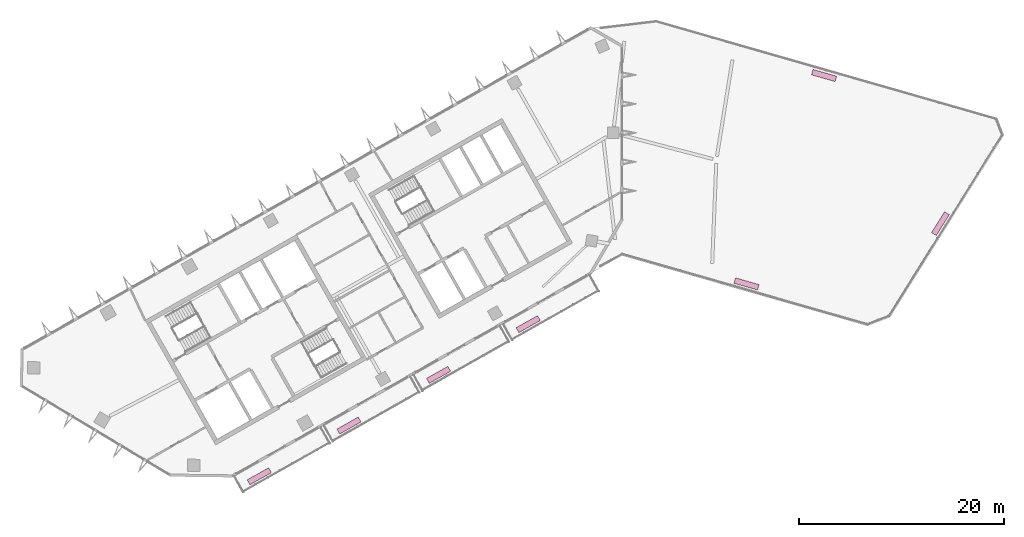
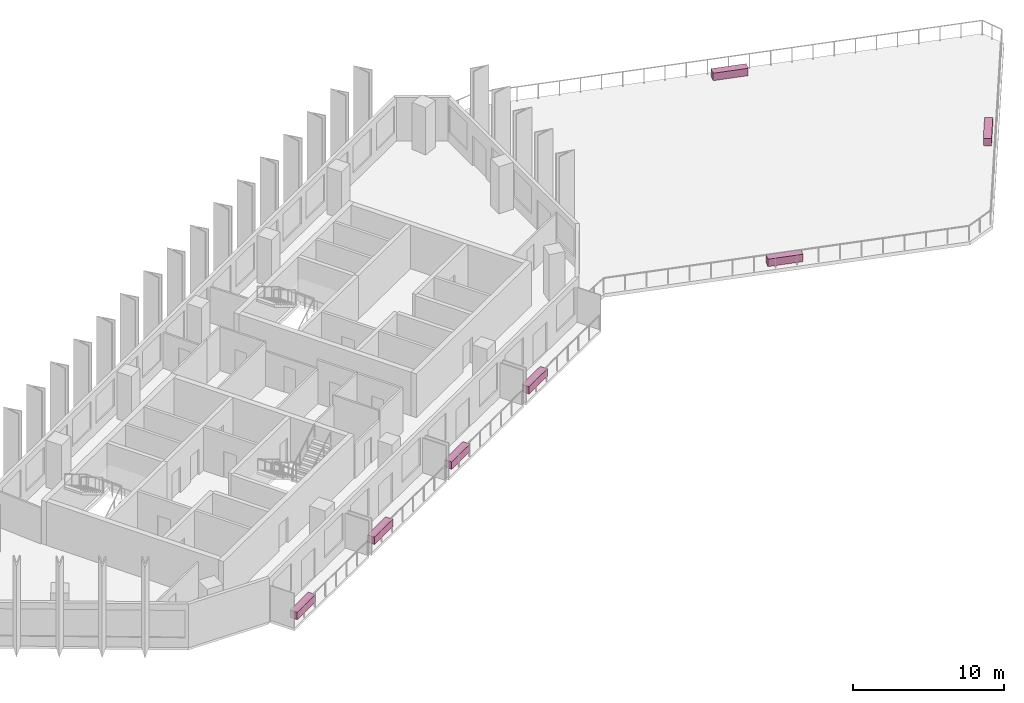
# One storey, part 8 of 8: 7 furnishings.
"""IFC4 building model written with IfcOpenShell, lengths in metres."""

from ifc_helpers import new_model, si_unit, direction, frame, origin, origin_2d, place, context, subcontext, project, spatial, rectangle, extrude, material, type_object, element, save


model = new_model("IFC4")

# Units and contexts
model_context = context("Model", 3, precision=1e-05, world=origin(), true_north=direction((0.0, 1.0)))
body_context = subcontext(model_context, "Body", "Model", "MODEL_VIEW")
ifc_project = project(units=[si_unit("LENGTHUNIT", "METRE"), si_unit("AREAUNIT", "SQUARE_METRE"), si_unit("VOLUMEUNIT", "CUBIC_METRE"), si_unit("PLANEANGLEUNIT", "RADIAN"), si_unit("MASSUNIT", "GRAM", prefix="KILO")], contexts=[model_context])

# Site, building, storey
site_placement = place(None, origin())
site = spatial("IfcSite", under=ifc_project, at=site_placement, CompositionType="ELEMENT")
building_placement = place(site_placement, origin())
building = spatial("IfcBuilding", under=site, at=building_placement, Name="Binnacle Exchange Tower", CompositionType="ELEMENT")
storey_placement = place(building_placement, frame((0.0, 0.0, 262.699951171875)))
storey = spatial("IfcBuildingStorey", under=building, at=storey_placement, Name="L58", CompositionType="ELEMENT", Elevation=262.699951171875)

# Furnishings
ifc_material = material(Name="Concrete C35/45", Category="concrete")
furnishing_element_type = type_object("IfcFurnishingElementType", Name="PLANTER 2400x550x600", material=ifc_material)
for number, where, z_axis, x_axis, name in (
    (1, (-35.44677734375, 26.428466796875, 0.0), (0.0, 0.0, 1.0), (0.87035569594, 0.492423560103, 0.0), "Planter H07-B00a L58"),
    (2, (-26.683837890625, 31.38623046875, 0.0), (0.0, 0.0, 1.0), (0.87035569594, 0.492423560103, 0.0), "Planter H07-B01a L58"),
    (3, (-17.9208984375, 36.34423828125, 0.0), (0.0, 0.0, 1.0), (0.87035569594, 0.492423560103, 0.0), "Planter H07-B02a L58"),
    (4, (-9.158203125, 41.302001953125, 0.0), (0.0, 0.0, 1.0), (0.87035569594, 0.492423560103, 0.0), "Planter H07-B03a L58"),
    (5, (12.19189453125, 45.2314453125, 0.0), (0.0, 0.0, 1.0), (0.961262177015, -0.275635678098, 0.0), "Planter 2 Terrace T2"),
    (6, (31.13916015625, 51.12451171875, 0.0), (0.0, 0.0, 1.0), (0.529919264233, 0.848048096156, 0.0), "Planter 4 Terrace T2"),
    (7, (19.768310546875, 65.606689453125, 0.0), (0.0, 0.0, 1.0), (-0.961261214859, 0.275639033535, 0.0), "Planter 6 Terrace T2"),
):
    element("IfcFurnishingElement", number, at=place(storey_placement, frame(where, z_axis=z_axis, x_axis=x_axis)), inside=storey, type_object=furnishing_element_type, Name=name, ObjectType="PLANTER", context=body_context, shape_type="SweptSolid", body=[
        extrude(rectangle(XDim=2.39990234375, YDim=0.550048828125, at=origin_2d()), origin(), (0.0, 0.0, 1.0), 0.60009765625),
    ])

save(model, "model.ifc")
